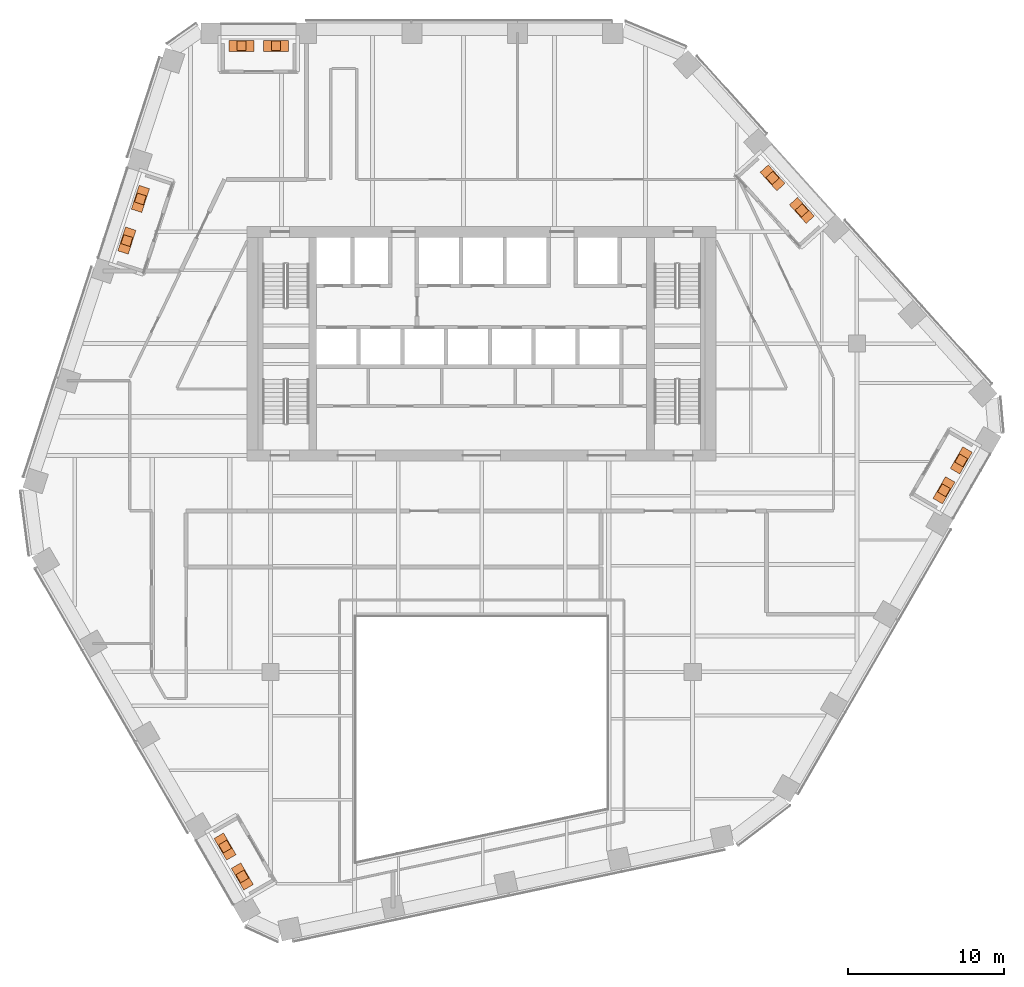
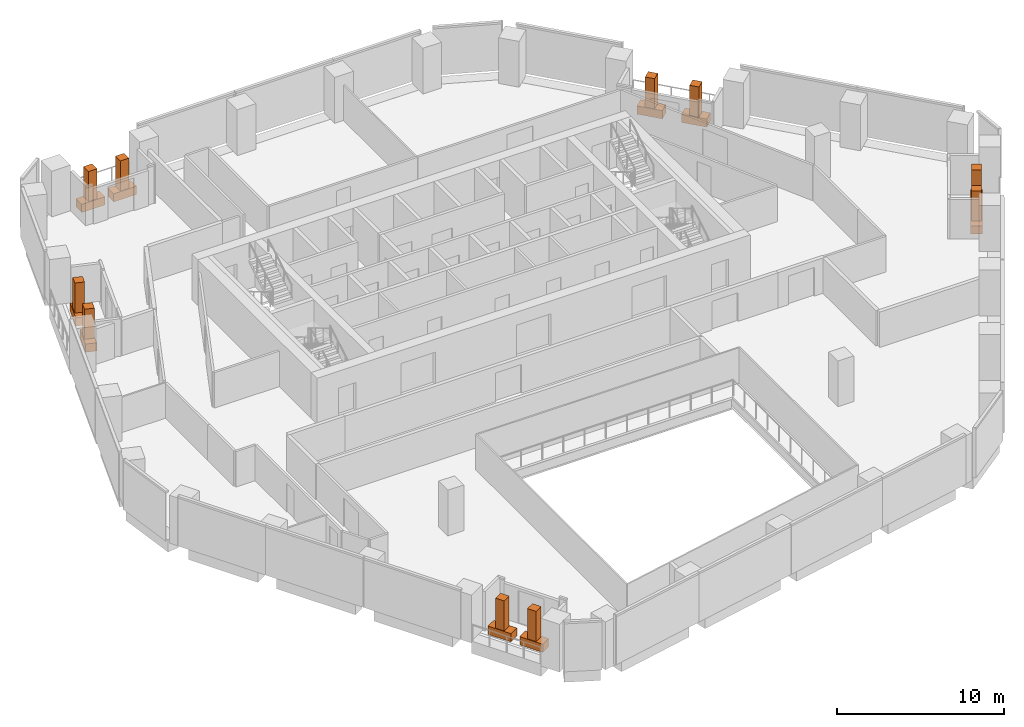
# One storey, part 26 of 26: 10 geographic elements, 10 proxies.
"""IFC4 building model written with IfcOpenShell, lengths in metres."""

from ifc_helpers import new_model, si_unit, direction, frame, origin, origin_2d, place, context, subcontext, project, spatial, rectangle, extrude, material, type_object, element, save


model = new_model("IFC4")

# Units and contexts
model_context = context("Model", 3, precision=1e-05, world=origin(), true_north=direction((0.0, 1.0)))
body_context = subcontext(model_context, "Body", "Model", "MODEL_VIEW")
ifc_project = project(units=[si_unit("LENGTHUNIT", "METRE"), si_unit("AREAUNIT", "SQUARE_METRE"), si_unit("VOLUMEUNIT", "CUBIC_METRE"), si_unit("PLANEANGLEUNIT", "RADIAN"), si_unit("MASSUNIT", "GRAM", prefix="KILO")], contexts=[model_context])

# Site, building, storey
site_placement = place(None, origin())
site = spatial("IfcSite", under=ifc_project, at=site_placement, CompositionType="ELEMENT")
building_placement = place(site_placement, origin())
building = spatial("IfcBuilding", under=site, at=building_placement, Name="Isthmus Gate Tower", CompositionType="ELEMENT")
storey_placement = place(building_placement, frame((0.0, 0.0, 203.64990234375)))
storey = spatial("IfcBuildingStorey", under=building, at=storey_placement, Name="L51", CompositionType="ELEMENT", Elevation=203.64990234375)

# Geographic elements
ifc_material_1 = material(Name="Plant material, broadleaf tree")
geographic_element_type = type_object("IfcGeographicElementType", Name="BROADLEAF TREE 2200 HIGH", PredefinedType="USERDEFINED", material=ifc_material_1)
for number, where, z_axis, x_axis, name in (
    (1, (-13.157958984375, 26.550048828125, 0.60009765625), (0.0, 0.0, 1.0), (-1.0, 0.0, 0.0), "TREE"),
    (2, (-15.365966796875, 26.550048828125, 0.60009765625), (0.0, 0.0, 1.0), (-1.0, 0.0, 0.0), "TREE"),
    (3, (-21.828857421875, 16.755615234375, 0.60009765625), (0.0, 0.0, 1.0), (-0.309016994375, -0.951056516295, 0.0), "TREE"),
    (4, (-22.694580078125, 14.091064453125, 0.60009765625), (0.0, 0.0, 1.0), (-0.309016994375, -0.951056516295, 0.0), "TREE"),
    (5, (-16.4140625, -24.670166015625, 0.60009765625), (0.0, 0.0, 1.0), (0.5, -0.866025403784, 0.0), "TREE"),
    (6, (-15.31005859375, -26.582275390625, 0.60009765625), (0.0, 0.0, 1.0), (0.5, -0.866025403784, 0.0), "TREE"),
    (7, (29.572021484375, -1.8798828125, 0.60009765625), (0.0, 0.0, 1.0), (0.5, 0.866025403784, 0.0), "TREE"),
    (8, (30.676025390625, 0.0322265625, 0.60009765625), (0.0, 0.0, 1.0), (0.5, 0.866025403784, 0.0), "TREE"),
    (9, (20.479736328125, 16.018798828125, 0.60009765625), (0.0, 0.0, 1.0), (-0.669130606359, 0.743144825477, 0.0), "TREE"),
    (10, (18.60498046875, 18.10107421875, 0.60009765625), (0.0, 0.0, 1.0), (-0.669130606359, 0.743144825477, 0.0), "TREE"),
):
    element("IfcGeographicElement", number, at=place(storey_placement, frame(where, z_axis=z_axis, x_axis=x_axis)), inside=storey, type_object=geographic_element_type, Name=name, ObjectType="TREE", PredefinedType="USERDEFINED", context=body_context, shape_type="SweptSolid", body=[
        extrude(rectangle(XDim=0.60009765625, YDim=0.60009765625, at=origin_2d()), origin(), (0.0, 0.0, 1.0), 2.199951171875),
    ])

# Proxies
ifc_material_2 = material(Name="Concrete f'c 40 MPa", Category="concrete")
building_element_proxy_type = type_object("IfcBuildingElementProxyType", Name="CONCRETE PLANTER 1600 X 700 X 600", PredefinedType="USERDEFINED", material=ifc_material_2)
for number, where, z_axis, x_axis, name in (
    (11, (-13.157958984375, 26.550048828125, 0.0), (0.0, 0.0, 1.0), (-1.0, 0.0, 0.0), "PLANTER"),
    (12, (-15.365966796875, 26.550048828125, 0.0), (0.0, 0.0, 1.0), (-1.0, 0.0, 0.0), "PLANTER"),
    (13, (-21.828857421875, 16.755615234375, 0.0), (0.0, 0.0, 1.0), (-0.309016994375, -0.951056516295, 0.0), "PLANTER"),
    (14, (-22.694580078125, 14.091064453125, 0.0), (0.0, 0.0, 1.0), (-0.309016994375, -0.951056516295, 0.0), "PLANTER"),
    (15, (-16.4140625, -24.670166015625, 0.0), (0.0, 0.0, 1.0), (0.5, -0.866025403784, 0.0), "PLANTER"),
    (16, (-15.31005859375, -26.582275390625, 0.0), (0.0, 0.0, 1.0), (0.5, -0.866025403784, 0.0), "PLANTER"),
    (17, (29.572021484375, -1.8798828125, 0.0), (0.0, 0.0, 1.0), (0.5, 0.866025403784, 0.0), "PLANTER"),
    (18, (30.676025390625, 0.0322265625, 0.0), (0.0, 0.0, 1.0), (0.5, 0.866025403784, 0.0), "PLANTER"),
    (19, (20.479736328125, 16.018798828125, 0.0), (0.0, 0.0, 1.0), (-0.669130606359, 0.743144825477, 0.0), "PLANTER"),
    (20, (18.60498046875, 18.10107421875, 0.0), (0.0, 0.0, 1.0), (-0.669130606359, 0.743144825477, 0.0), "PLANTER"),
):
    element("IfcBuildingElementProxy", number, at=place(storey_placement, frame(where, z_axis=z_axis, x_axis=x_axis)), inside=storey, type_object=building_element_proxy_type, Name=name, ObjectType="PLANTER", PredefinedType="USERDEFINED", context=body_context, shape_type="SweptSolid", body=[
        extrude(rectangle(XDim=1.60009765625, YDim=0.699951171875, at=origin_2d()), origin(), (0.0, 0.0, 1.0), 0.60009765625),
    ])

save(model, "model.ifc")
